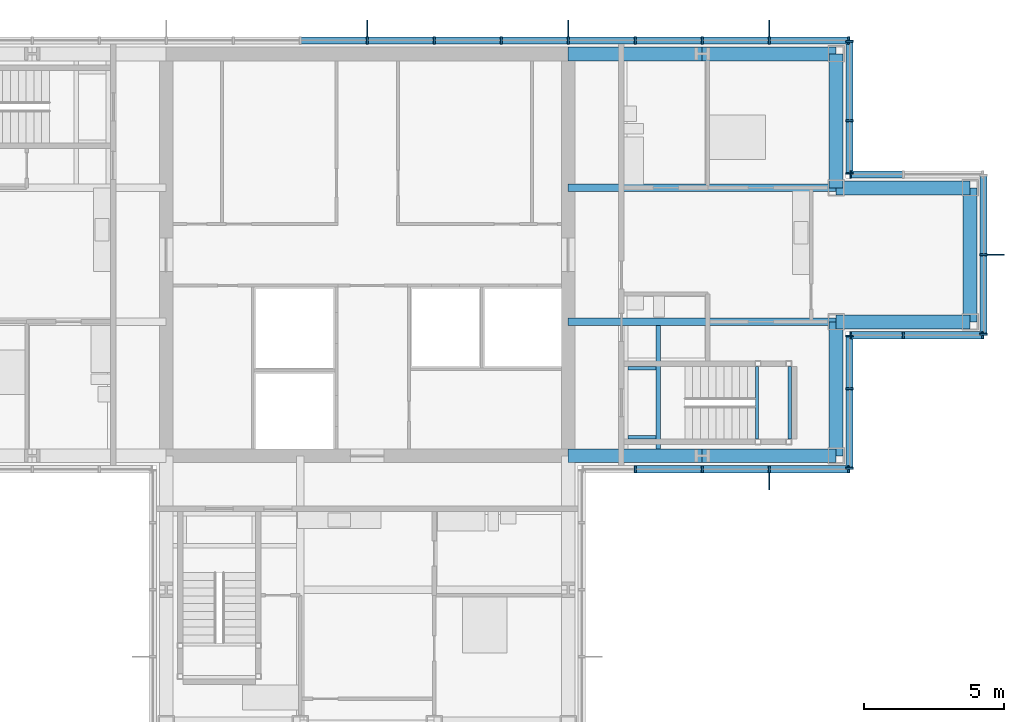
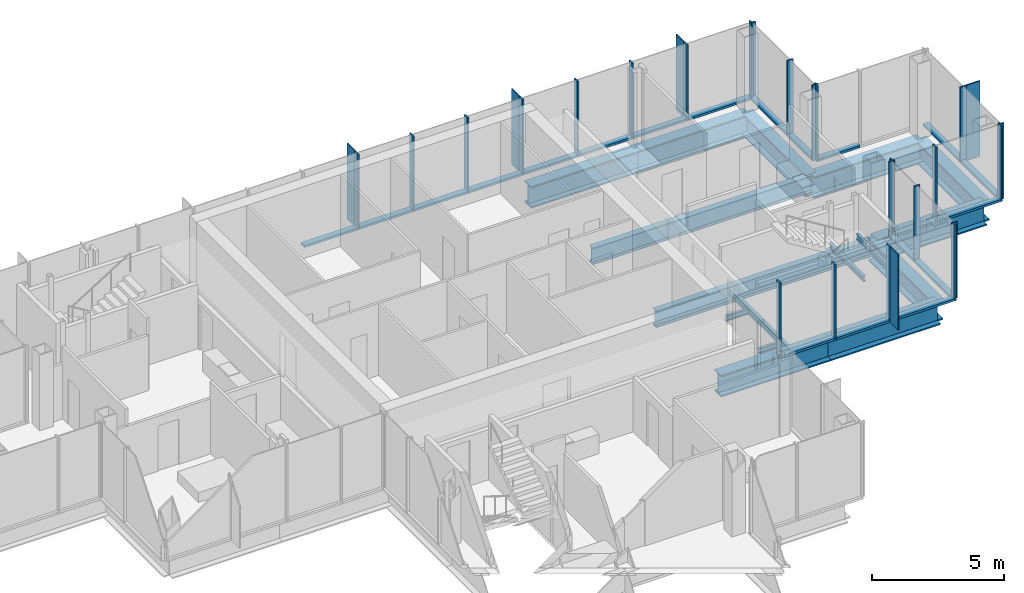
# One storey, part 7 of 15: 49 members, 16 beams, 7 elements without a shape of their own.
"""IFC4 building model written with IfcOpenShell, lengths in metres."""

from ifc_helpers import new_model, si_unit, direction, frame, origin, origin_2d, place, context, subcontext, project, spatial, rectangle, i_section, extrude, material, material_profile, profile_set, type_object, element, aggregate, save


model = new_model("IFC4")

# Units and contexts
model_context = context("Model", 3, precision=1e-05, world=origin(), true_north=direction((0.0, 1.0)))
body_context = subcontext(model_context, "Body", "Model", "MODEL_VIEW")
ifc_project = project(units=[si_unit("LENGTHUNIT", "METRE"), si_unit("AREAUNIT", "SQUARE_METRE"), si_unit("VOLUMEUNIT", "CUBIC_METRE"), si_unit("PLANEANGLEUNIT", "RADIAN"), si_unit("MASSUNIT", "GRAM", prefix="KILO")], contexts=[model_context])

# Site, building, storey
site_placement = place(None, origin())
site = spatial("IfcSite", under=ifc_project, at=site_placement, CompositionType="ELEMENT")
building_placement = place(site_placement, origin())
building = spatial("IfcBuilding", under=site, at=building_placement, Name="Kvirike Care Tower", CompositionType="ELEMENT")
storey_placement = place(building_placement, frame((0.0, 0.0, 198.0)))
storey = spatial("IfcBuildingStorey", under=building, at=storey_placement, Name="L54", CompositionType="ELEMENT", Elevation=198.0)

# Curtain wall, member
ifc_material_1 = material(Name="Anodised aluminium stick system", Category="aluminium")
curtain_wall_type = type_object("IfcCurtainWallType", Name="CW-D STICK CURTAIN WALL", PredefinedType="NOTDEFINED", material=ifc_material_1)
curtain_wall_1_placement = place(storey_placement, origin())
curtain_wall_1 = element("IfcCurtainWall", 1, at=curtain_wall_1_placement, inside=storey, type_object=curtain_wall_type, Name="Curtain wall L54 face 1", PredefinedType="NOTDEFINED")
ifc_material_2 = material(Name="Bronze anodised aluminium fin", Category="aluminium")
ifc_material_profile_1 = material_profile(ifc_material_2, rectangle(XDim=0.050048828125, YDim=0.60009765625, at=origin_2d()), Name="BRONZE FIN 600")
ifc_profile_set_1 = profile_set([ifc_material_profile_1], Name="Bronze anodised aluminium fin")
member_type_1 = type_object("IfcMemberType", Name="BRONZE FIN 600", PredefinedType="USERDEFINED", material=ifc_profile_set_1)
member_1_placement = place(storey_placement, frame((36.0, 27.889892578125, 0.0), z_axis=(0.0, 0.0, 1.0), x_axis=(1.0, 0.0, 0.0)))
member_1 = element("IfcMember", 2, at=member_1_placement, type_object=member_type_1, Name="Bronze fin L54 face 1.4", ObjectType="FIN", PredefinedType="USERDEFINED", context=body_context, shape_type="SweptSolid", body=[
    extrude(rectangle(XDim=0.050048828125, YDim=0.60009765625, at=origin_2d()), origin(), (0.0, 0.0, 1.0), 3.5),
])

curtain_wall_2_placement = place(storey_placement, origin())
curtain_wall_2 = element("IfcCurtainWall", 3, at=curtain_wall_2_placement, inside=storey, type_object=curtain_wall_type, Name="Curtain wall L54 face 4", PredefinedType="NOTDEFINED")
member_2_placement = place(storey_placement, frame((44.110107421875, 36.0, 0.0), z_axis=(0.0, 0.0, 1.0), x_axis=(0.0, 1.0, 0.0)))
member_2 = element("IfcMember", 4, at=member_2_placement, type_object=member_type_1, Name="Bronze fin L54 face 4.2", ObjectType="FIN", PredefinedType="USERDEFINED", context=body_context, shape_type="SweptSolid", body=[
    extrude(rectangle(XDim=0.050048828125, YDim=0.60009765625, at=origin_2d()), origin(), (0.0, 0.0, 1.0), 3.5),
])

# Curtain wall, members
curtain_wall_3_placement = place(storey_placement, origin())
curtain_wall_3 = element("IfcCurtainWall", 5, at=curtain_wall_3_placement, inside=storey, type_object=curtain_wall_type, Name="Curtain wall L54 face 7", PredefinedType="NOTDEFINED")
member_3_placement = place(storey_placement, frame((36.0, 44.110107421875, 0.0), z_axis=(0.0, 0.0, 1.0), x_axis=(-1.0, 0.0, 0.0)))
member_3 = element("IfcMember", 6, at=member_3_placement, type_object=member_type_1, Name="Bronze fin L54 face 7.2", ObjectType="FIN", PredefinedType="USERDEFINED", context=body_context, shape_type="SweptSolid", body=[
    extrude(rectangle(XDim=0.050048828125, YDim=0.60009765625, at=origin_2d()), origin(), (0.0, 0.0, 1.0), 3.5),
])
member_4_placement = place(storey_placement, frame((28.800048828125, 44.110107421875, 0.0), z_axis=(0.0, 0.0, 1.0), x_axis=(-1.0, 0.0, 0.0)))
member_4 = element("IfcMember", 7, at=member_4_placement, type_object=member_type_1, Name="Bronze fin L54 face 7.5", ObjectType="FIN", PredefinedType="USERDEFINED", context=body_context, shape_type="SweptSolid", body=[
    extrude(rectangle(XDim=0.050048828125, YDim=0.60009765625, at=origin_2d()), origin(), (0.0, 0.0, 1.0), 3.5),
])
member_5_placement = place(storey_placement, frame((21.60009765625, 44.110107421875, 0.0), z_axis=(0.0, 0.0, 1.0), x_axis=(-1.0, 0.0, 0.0)))
member_5 = element("IfcMember", 8, at=member_5_placement, type_object=member_type_1, Name="Bronze fin L54 face 7.8", ObjectType="FIN", PredefinedType="USERDEFINED", context=body_context, shape_type="SweptSolid", body=[
    extrude(rectangle(XDim=0.050048828125, YDim=0.60009765625, at=origin_2d()), origin(), (0.0, 0.0, 1.0), 3.5),
])

# Member
ifc_material_3 = material(Name="Bronze anodised aluminium mullion", Category="aluminium")
ifc_material_profile_2 = material_profile(ifc_material_3, rectangle(XDim=0.06494140625, YDim=0.260009765625, at=origin_2d()), Name="CW-D MULLION 65x260")
ifc_profile_set_2 = profile_set([ifc_material_profile_2], Name="Bronze anodised aluminium mullion")
member_type_2 = type_object("IfcMemberType", Name="CW-D MULLION 65x260", PredefinedType="MULLION", material=ifc_profile_set_2)
member_6_placement = place(storey_placement, frame((31.199951171875, 28.320068359375, 0.0), z_axis=(0.0, 0.0, 1.0), x_axis=(1.0, 0.0, 0.0)))
member_6 = element("IfcMember", 9, at=member_6_placement, type_object=member_type_2, Name="CW-D mullion L54 face 1.2", PredefinedType="MULLION", context=body_context, shape_type="SweptSolid", body=[
    extrude(rectangle(XDim=0.06494140625, YDim=0.260009765625, at=origin_2d()), origin(), (0.0, 0.0, 1.0), 3.5),
])

member_7_placement = place(storey_placement, frame((33.60009765625, 28.320068359375, 0.0), z_axis=(0.0, 0.0, 1.0), x_axis=(1.0, 0.0, 0.0)))
member_7 = element("IfcMember", 10, at=member_7_placement, type_object=member_type_2, Name="CW-D mullion L54 face 1.3", PredefinedType="MULLION", context=body_context, shape_type="SweptSolid", body=[
    extrude(rectangle(XDim=0.06494140625, YDim=0.260009765625, at=origin_2d()), origin(), (0.0, 0.0, 1.0), 3.5),
])

member_8_placement = place(storey_placement, frame((36.0, 28.320068359375, 0.0), z_axis=(0.0, 0.0, 1.0), x_axis=(1.0, 0.0, 0.0)))
member_8 = element("IfcMember", 11, at=member_8_placement, type_object=member_type_2, Name="CW-D mullion L54 face 1.4", PredefinedType="MULLION", context=body_context, shape_type="SweptSolid", body=[
    extrude(rectangle(XDim=0.06494140625, YDim=0.260009765625, at=origin_2d()), origin(), (0.0, 0.0, 1.0), 3.5),
])

member_9_placement = place(storey_placement, frame((38.847412109375, 28.320068359375, 0.0), z_axis=(0.0, 0.0, 1.0), x_axis=(1.0, 0.0, 0.0)))
member_9 = element("IfcMember", 12, at=member_9_placement, type_object=member_type_2, Name="CW-D mullion L54 face 1.5", PredefinedType="MULLION", context=body_context, shape_type="SweptSolid", body=[
    extrude(rectangle(XDim=0.06494140625, YDim=0.260009765625, at=origin_2d()), origin(), (0.0, 0.0, 1.0), 3.5),
])

# Curtain wall, members
curtain_wall_4_placement = place(storey_placement, origin())
curtain_wall_4 = element("IfcCurtainWall", 13, at=curtain_wall_4_placement, inside=storey, type_object=curtain_wall_type, Name="Curtain wall L54 face 2", PredefinedType="NOTDEFINED")
member_10_placement = place(storey_placement, frame((38.8798828125, 28.3525390625, 0.0), z_axis=(0.0, 0.0, 1.0), x_axis=(0.0, 1.0, 0.0)))
member_10 = element("IfcMember", 14, at=member_10_placement, type_object=member_type_2, Name="CW-D mullion L54 face 2.1", PredefinedType="MULLION", context=body_context, shape_type="SweptSolid", body=[
    extrude(rectangle(XDim=0.06494140625, YDim=0.260009765625, at=origin_2d()), origin(), (0.0, 0.0, 1.0), 3.5),
])
member_11_placement = place(storey_placement, frame((38.8798828125, 31.199951171875, 0.0), z_axis=(0.0, 0.0, 1.0), x_axis=(0.0, 1.0, 0.0)))
member_11 = element("IfcMember", 15, at=member_11_placement, type_object=member_type_2, Name="CW-D mullion L54 face 2.2", PredefinedType="MULLION", context=body_context, shape_type="SweptSolid", body=[
    extrude(rectangle(XDim=0.06494140625, YDim=0.260009765625, at=origin_2d()), origin(), (0.0, 0.0, 1.0), 3.5),
])
member_12_placement = place(storey_placement, frame((38.8798828125, 33.08740234375, 0.0), z_axis=(0.0, 0.0, 1.0), x_axis=(0.0, 1.0, 0.0)))
member_12 = element("IfcMember", 16, at=member_12_placement, type_object=member_type_2, Name="CW-D mullion L54 face 2.3", PredefinedType="MULLION", context=body_context, shape_type="SweptSolid", body=[
    extrude(rectangle(XDim=0.06494140625, YDim=0.260009765625, at=origin_2d()), origin(), (0.0, 0.0, 1.0), 3.5),
])

curtain_wall_5_placement = place(storey_placement, origin())
curtain_wall_5 = element("IfcCurtainWall", 17, at=curtain_wall_5_placement, inside=storey, type_object=curtain_wall_type, Name="Curtain wall L54 face 3", PredefinedType="NOTDEFINED")
member_13_placement = place(storey_placement, frame((38.91259765625, 33.1201171875, 0.0), z_axis=(0.0, 0.0, 1.0), x_axis=(1.0, 0.0, 0.0)))
member_13 = element("IfcMember", 18, at=member_13_placement, type_object=member_type_2, Name="CW-D mullion L54 face 3.1", PredefinedType="MULLION", context=body_context, shape_type="SweptSolid", body=[
    extrude(rectangle(XDim=0.06494140625, YDim=0.260009765625, at=origin_2d()), origin(), (0.0, 0.0, 1.0), 3.5),
])
member_14_placement = place(storey_placement, frame((40.800048828125, 33.1201171875, 0.0), z_axis=(0.0, 0.0, 1.0), x_axis=(1.0, 0.0, 0.0)))
member_14 = element("IfcMember", 19, at=member_14_placement, type_object=member_type_2, Name="CW-D mullion L54 face 3.2", PredefinedType="MULLION", context=body_context, shape_type="SweptSolid", body=[
    extrude(rectangle(XDim=0.06494140625, YDim=0.260009765625, at=origin_2d()), origin(), (0.0, 0.0, 1.0), 3.5),
])
member_15_placement = place(storey_placement, frame((43.6474609375, 33.1201171875, 0.0), z_axis=(0.0, 0.0, 1.0), x_axis=(1.0, 0.0, 0.0)))
member_15 = element("IfcMember", 20, at=member_15_placement, type_object=member_type_2, Name="CW-D mullion L54 face 3.3", PredefinedType="MULLION", context=body_context, shape_type="SweptSolid", body=[
    extrude(rectangle(XDim=0.06494140625, YDim=0.260009765625, at=origin_2d()), origin(), (0.0, 0.0, 1.0), 3.5),
])

# Member
member_16_placement = place(storey_placement, frame((43.679931640625, 33.152587890625, 0.0), z_axis=(0.0, 0.0, 1.0), x_axis=(0.0, 1.0, 0.0)))
member_16 = element("IfcMember", 21, at=member_16_placement, type_object=member_type_2, Name="CW-D mullion L54 face 4.1", PredefinedType="MULLION", context=body_context, shape_type="SweptSolid", body=[
    extrude(rectangle(XDim=0.06494140625, YDim=0.260009765625, at=origin_2d()), origin(), (0.0, 0.0, 1.0), 3.5),
])

member_17_placement = place(storey_placement, frame((43.679931640625, 36.0, 0.0), z_axis=(0.0, 0.0, 1.0), x_axis=(0.0, 1.0, 0.0)))
member_17 = element("IfcMember", 22, at=member_17_placement, type_object=member_type_2, Name="CW-D mullion L54 face 4.2", PredefinedType="MULLION", context=body_context, shape_type="SweptSolid", body=[
    extrude(rectangle(XDim=0.06494140625, YDim=0.260009765625, at=origin_2d()), origin(), (0.0, 0.0, 1.0), 3.5),
])

# Curtain wall, member
curtain_wall_6_placement = place(storey_placement, origin())
curtain_wall_6 = element("IfcCurtainWall", 23, at=curtain_wall_6_placement, inside=storey, type_object=curtain_wall_type, Name="Curtain wall L54 face 5", PredefinedType="NOTDEFINED")
member_18_placement = place(storey_placement, frame((38.91259765625, 38.8798828125, 0.0), z_axis=(0.0, 0.0, 1.0), x_axis=(-1.0, 0.0, 0.0)))
member_18 = element("IfcMember", 24, at=member_18_placement, type_object=member_type_2, Name="CW-D mullion L54 face 5.3", PredefinedType="MULLION", context=body_context, shape_type="SweptSolid", body=[
    extrude(rectangle(XDim=0.06494140625, YDim=0.260009765625, at=origin_2d()), origin(), (0.0, 0.0, 1.0), 3.5),
])

# Curtain wall, members
curtain_wall_7_placement = place(storey_placement, origin())
curtain_wall_7 = element("IfcCurtainWall", 25, at=curtain_wall_7_placement, inside=storey, type_object=curtain_wall_type, Name="Curtain wall L54 face 6", PredefinedType="NOTDEFINED")
member_19_placement = place(storey_placement, frame((38.8798828125, 38.91259765625, 0.0), z_axis=(0.0, 0.0, 1.0), x_axis=(0.0, 1.0, 0.0)))
member_19 = element("IfcMember", 26, at=member_19_placement, type_object=member_type_2, Name="CW-D mullion L54 face 6.1", PredefinedType="MULLION", context=body_context, shape_type="SweptSolid", body=[
    extrude(rectangle(XDim=0.06494140625, YDim=0.260009765625, at=origin_2d()), origin(), (0.0, 0.0, 1.0), 3.5),
])
member_20_placement = place(storey_placement, frame((38.8798828125, 40.800048828125, 0.0), z_axis=(0.0, 0.0, 1.0), x_axis=(0.0, 1.0, 0.0)))
member_20 = element("IfcMember", 27, at=member_20_placement, type_object=member_type_2, Name="CW-D mullion L54 face 6.2", PredefinedType="MULLION", context=body_context, shape_type="SweptSolid", body=[
    extrude(rectangle(XDim=0.06494140625, YDim=0.260009765625, at=origin_2d()), origin(), (0.0, 0.0, 1.0), 3.5),
])
member_21_placement = place(storey_placement, frame((38.8798828125, 43.6474609375, 0.0), z_axis=(0.0, 0.0, 1.0), x_axis=(0.0, 1.0, 0.0)))
member_21 = element("IfcMember", 28, at=member_21_placement, type_object=member_type_2, Name="CW-D mullion L54 face 6.3", PredefinedType="MULLION", context=body_context, shape_type="SweptSolid", body=[
    extrude(rectangle(XDim=0.06494140625, YDim=0.260009765625, at=origin_2d()), origin(), (0.0, 0.0, 1.0), 3.5),
])

# Member
member_22_placement = place(storey_placement, frame((38.847412109375, 43.679931640625, 0.0), z_axis=(0.0, 0.0, 1.0), x_axis=(-1.0, 0.0, 0.0)))
member_22 = element("IfcMember", 29, at=member_22_placement, type_object=member_type_2, Name="CW-D mullion L54 face 7.1", PredefinedType="MULLION", context=body_context, shape_type="SweptSolid", body=[
    extrude(rectangle(XDim=0.06494140625, YDim=0.260009765625, at=origin_2d()), origin(), (0.0, 0.0, 1.0), 3.5),
])

member_23_placement = place(storey_placement, frame((36.0, 43.679931640625, 0.0), z_axis=(0.0, 0.0, 1.0), x_axis=(-1.0, 0.0, 0.0)))
member_23 = element("IfcMember", 30, at=member_23_placement, type_object=member_type_2, Name="CW-D mullion L54 face 7.2", PredefinedType="MULLION", context=body_context, shape_type="SweptSolid", body=[
    extrude(rectangle(XDim=0.06494140625, YDim=0.260009765625, at=origin_2d()), origin(), (0.0, 0.0, 1.0), 3.5),
])

member_24_placement = place(storey_placement, frame((33.60009765625, 43.679931640625, 0.0), z_axis=(0.0, 0.0, 1.0), x_axis=(-1.0, 0.0, 0.0)))
member_24 = element("IfcMember", 31, at=member_24_placement, type_object=member_type_2, Name="CW-D mullion L54 face 7.3", PredefinedType="MULLION", context=body_context, shape_type="SweptSolid", body=[
    extrude(rectangle(XDim=0.06494140625, YDim=0.260009765625, at=origin_2d()), origin(), (0.0, 0.0, 1.0), 3.5),
])

member_25_placement = place(storey_placement, frame((31.199951171875, 43.679931640625, 0.0), z_axis=(0.0, 0.0, 1.0), x_axis=(-1.0, 0.0, 0.0)))
member_25 = element("IfcMember", 32, at=member_25_placement, type_object=member_type_2, Name="CW-D mullion L54 face 7.4", PredefinedType="MULLION", context=body_context, shape_type="SweptSolid", body=[
    extrude(rectangle(XDim=0.06494140625, YDim=0.260009765625, at=origin_2d()), origin(), (0.0, 0.0, 1.0), 3.5),
])

member_26_placement = place(storey_placement, frame((28.800048828125, 43.679931640625, 0.0), z_axis=(0.0, 0.0, 1.0), x_axis=(-1.0, 0.0, 0.0)))
member_26 = element("IfcMember", 33, at=member_26_placement, type_object=member_type_2, Name="CW-D mullion L54 face 7.5", PredefinedType="MULLION", context=body_context, shape_type="SweptSolid", body=[
    extrude(rectangle(XDim=0.06494140625, YDim=0.260009765625, at=origin_2d()), origin(), (0.0, 0.0, 1.0), 3.5),
])

member_27_placement = place(storey_placement, frame((26.39990234375, 43.679931640625, 0.0), z_axis=(0.0, 0.0, 1.0), x_axis=(-1.0, 0.0, 0.0)))
member_27 = element("IfcMember", 34, at=member_27_placement, type_object=member_type_2, Name="CW-D mullion L54 face 7.6", PredefinedType="MULLION", context=body_context, shape_type="SweptSolid", body=[
    extrude(rectangle(XDim=0.06494140625, YDim=0.260009765625, at=origin_2d()), origin(), (0.0, 0.0, 1.0), 3.5),
])

member_28_placement = place(storey_placement, frame((24.0, 43.679931640625, 0.0), z_axis=(0.0, 0.0, 1.0), x_axis=(-1.0, 0.0, 0.0)))
member_28 = element("IfcMember", 35, at=member_28_placement, type_object=member_type_2, Name="CW-D mullion L54 face 7.7", PredefinedType="MULLION", context=body_context, shape_type="SweptSolid", body=[
    extrude(rectangle(XDim=0.06494140625, YDim=0.260009765625, at=origin_2d()), origin(), (0.0, 0.0, 1.0), 3.5),
])

member_29_placement = place(storey_placement, frame((21.60009765625, 43.679931640625, 0.0), z_axis=(0.0, 0.0, 1.0), x_axis=(-1.0, 0.0, 0.0)))
member_29 = element("IfcMember", 36, at=member_29_placement, type_object=member_type_2, Name="CW-D mullion L54 face 7.8", PredefinedType="MULLION", context=body_context, shape_type="SweptSolid", body=[
    extrude(rectangle(XDim=0.06494140625, YDim=0.260009765625, at=origin_2d()), origin(), (0.0, 0.0, 1.0), 3.5),
])

ifc_material_4 = material(Name="Bronze anodised aluminium transom", Category="aluminium")
ifc_material_profile_3 = material_profile(ifc_material_4, rectangle(XDim=0.260009765625, YDim=0.10009765625, at=origin_2d()), Name="CW-D TRANSOM 260x100")
ifc_profile_set_3 = profile_set([ifc_material_profile_3], Name="Bronze anodised aluminium transom")
member_type_3 = type_object("IfcMemberType", Name="CW-D TRANSOM 260x100", PredefinedType="USERDEFINED", material=ifc_profile_set_3)
member_30_placement = place(storey_placement, frame((31.232421875, 28.320068359375, 0.050048828125), z_axis=(1.0, 0.0, 0.0), x_axis=(0.0, 1.0, 0.0)))
member_30 = element("IfcMember", 37, at=member_30_placement, type_object=member_type_3, Name="CW-D sill transom L54 face 1.2", ObjectType="TRANSOM", PredefinedType="USERDEFINED", context=body_context, shape_type="SweptSolid", body=[
    extrude(rectangle(XDim=0.260009765625, YDim=0.10009765625, at=origin_2d()), origin(), (0.0, 0.0, 1.0), 2.3349609375),
])

member_31_placement = place(storey_placement, frame((33.632568359375, 28.320068359375, 0.050048828125), z_axis=(1.0, 0.0, 0.0), x_axis=(0.0, 1.0, 0.0)))
member_31 = element("IfcMember", 38, at=member_31_placement, type_object=member_type_3, Name="CW-D sill transom L54 face 1.3", ObjectType="TRANSOM", PredefinedType="USERDEFINED", context=body_context, shape_type="SweptSolid", body=[
    extrude(rectangle(XDim=0.260009765625, YDim=0.10009765625, at=origin_2d()), origin(), (0.0, 0.0, 1.0), 2.3349609375),
])

member_32_placement = place(storey_placement, frame((36.032470703125, 28.320068359375, 0.050048828125), z_axis=(1.0, 0.0, 0.0), x_axis=(0.0, 1.0, 0.0)))
member_32 = element("IfcMember", 39, at=member_32_placement, type_object=member_type_3, Name="CW-D sill transom L54 face 1.4", ObjectType="TRANSOM", PredefinedType="USERDEFINED", context=body_context, shape_type="SweptSolid", body=[
    extrude(rectangle(XDim=0.260009765625, YDim=0.10009765625, at=origin_2d()), origin(), (0.0, 0.0, 1.0), 2.782470703125),
])

aggregate(curtain_wall_1, [member_6, member_7, member_8, member_1, member_9, member_30, member_31, member_32])

member_33_placement = place(storey_placement, frame((38.8798828125, 28.385009765625, 0.050048828125), z_axis=(0.0, 1.0, 0.0), x_axis=(-1.0, 0.0, 0.0)))
member_33 = element("IfcMember", 40, at=member_33_placement, type_object=member_type_3, Name="CW-D sill transom L54 face 2.1", ObjectType="TRANSOM", PredefinedType="USERDEFINED", context=body_context, shape_type="SweptSolid", body=[
    extrude(rectangle(XDim=0.260009765625, YDim=0.10009765625, at=origin_2d()), origin(), (0.0, 0.0, 1.0), 2.782470703125),
])

member_34_placement = place(storey_placement, frame((38.8798828125, 31.232421875, 0.050048828125), z_axis=(0.0, 1.0, 0.0), x_axis=(-1.0, 0.0, 0.0)))
member_34 = element("IfcMember", 41, at=member_34_placement, type_object=member_type_3, Name="CW-D sill transom L54 face 2.2", ObjectType="TRANSOM", PredefinedType="USERDEFINED", context=body_context, shape_type="SweptSolid", body=[
    extrude(rectangle(XDim=0.260009765625, YDim=0.10009765625, at=origin_2d()), origin(), (0.0, 0.0, 1.0), 1.822509765625),
])

aggregate(curtain_wall_4, [member_10, member_11, member_12, member_33, member_34])

member_35_placement = place(storey_placement, frame((38.945068359375, 33.1201171875, 0.050048828125), z_axis=(1.0, 0.0, 0.0), x_axis=(0.0, 1.0, 0.0)))
member_35 = element("IfcMember", 42, at=member_35_placement, type_object=member_type_3, Name="CW-D sill transom L54 face 3.1", ObjectType="TRANSOM", PredefinedType="USERDEFINED", context=body_context, shape_type="SweptSolid", body=[
    extrude(rectangle(XDim=0.260009765625, YDim=0.10009765625, at=origin_2d()), origin(), (0.0, 0.0, 1.0), 1.822509765625),
])

member_36_placement = place(storey_placement, frame((40.83251953125, 33.1201171875, 0.050048828125), z_axis=(1.0, 0.0, 0.0), x_axis=(0.0, 1.0, 0.0)))
member_36 = element("IfcMember", 43, at=member_36_placement, type_object=member_type_3, Name="CW-D sill transom L54 face 3.2", ObjectType="TRANSOM", PredefinedType="USERDEFINED", context=body_context, shape_type="SweptSolid", body=[
    extrude(rectangle(XDim=0.260009765625, YDim=0.10009765625, at=origin_2d()), origin(), (0.0, 0.0, 1.0), 2.782470703125),
])

aggregate(curtain_wall_5, [member_13, member_14, member_15, member_35, member_36])

member_37_placement = place(storey_placement, frame((43.679931640625, 33.18505859375, 0.050048828125), z_axis=(0.0, 1.0, 0.0), x_axis=(-1.0, 0.0, 0.0)))
member_37 = element("IfcMember", 44, at=member_37_placement, type_object=member_type_3, Name="CW-D sill transom L54 face 4.1", ObjectType="TRANSOM", PredefinedType="USERDEFINED", context=body_context, shape_type="SweptSolid", body=[
    extrude(rectangle(XDim=0.260009765625, YDim=0.10009765625, at=origin_2d()), origin(), (0.0, 0.0, 1.0), 2.782470703125),
])

member_38_placement = place(storey_placement, frame((43.679931640625, 36.032470703125, 0.050048828125), z_axis=(0.0, 1.0, 0.0), x_axis=(-1.0, 0.0, 0.0)))
member_38 = element("IfcMember", 45, at=member_38_placement, type_object=member_type_3, Name="CW-D sill transom L54 face 4.2", ObjectType="TRANSOM", PredefinedType="USERDEFINED", context=body_context, shape_type="SweptSolid", body=[
    extrude(rectangle(XDim=0.260009765625, YDim=0.10009765625, at=origin_2d()), origin(), (0.0, 0.0, 1.0), 2.782470703125),
])

aggregate(curtain_wall_2, [member_16, member_17, member_2, member_37, member_38])

member_39_placement = place(storey_placement, frame((40.767578125, 38.8798828125, 0.050048828125), z_axis=(-1.0, 0.0, 0.0), x_axis=(0.0, -1.0, 0.0)))
member_39 = element("IfcMember", 46, at=member_39_placement, type_object=member_type_3, Name="CW-D sill transom L54 face 5.2", ObjectType="TRANSOM", PredefinedType="USERDEFINED", context=body_context, shape_type="SweptSolid", body=[
    extrude(rectangle(XDim=0.260009765625, YDim=0.10009765625, at=origin_2d()), origin(), (0.0, 0.0, 1.0), 1.822509765625),
])

aggregate(curtain_wall_6, [member_18, member_39])

member_40_placement = place(storey_placement, frame((38.8798828125, 38.945068359375, 0.050048828125), z_axis=(0.0, 1.0, 0.0), x_axis=(-1.0, 0.0, 0.0)))
member_40 = element("IfcMember", 47, at=member_40_placement, type_object=member_type_3, Name="CW-D sill transom L54 face 6.1", ObjectType="TRANSOM", PredefinedType="USERDEFINED", context=body_context, shape_type="SweptSolid", body=[
    extrude(rectangle(XDim=0.260009765625, YDim=0.10009765625, at=origin_2d()), origin(), (0.0, 0.0, 1.0), 1.822509765625),
])

member_41_placement = place(storey_placement, frame((38.8798828125, 40.83251953125, 0.050048828125), z_axis=(0.0, 1.0, 0.0), x_axis=(-1.0, 0.0, 0.0)))
member_41 = element("IfcMember", 48, at=member_41_placement, type_object=member_type_3, Name="CW-D sill transom L54 face 6.2", ObjectType="TRANSOM", PredefinedType="USERDEFINED", context=body_context, shape_type="SweptSolid", body=[
    extrude(rectangle(XDim=0.260009765625, YDim=0.10009765625, at=origin_2d()), origin(), (0.0, 0.0, 1.0), 2.782470703125),
])

aggregate(curtain_wall_7, [member_19, member_20, member_21, member_40, member_41])

member_42_placement = place(storey_placement, frame((38.81494140625, 43.679931640625, 0.050048828125), z_axis=(-1.0, 0.0, 0.0), x_axis=(0.0, -1.0, 0.0)))
member_42 = element("IfcMember", 49, at=member_42_placement, type_object=member_type_3, Name="CW-D sill transom L54 face 7.1", ObjectType="TRANSOM", PredefinedType="USERDEFINED", context=body_context, shape_type="SweptSolid", body=[
    extrude(rectangle(XDim=0.260009765625, YDim=0.10009765625, at=origin_2d()), origin(), (0.0, 0.0, 1.0), 2.782470703125),
])

member_43_placement = place(storey_placement, frame((35.967529296875, 43.679931640625, 0.050048828125), z_axis=(-1.0, 0.0, 0.0), x_axis=(0.0, -1.0, 0.0)))
member_43 = element("IfcMember", 50, at=member_43_placement, type_object=member_type_3, Name="CW-D sill transom L54 face 7.2", ObjectType="TRANSOM", PredefinedType="USERDEFINED", context=body_context, shape_type="SweptSolid", body=[
    extrude(rectangle(XDim=0.260009765625, YDim=0.10009765625, at=origin_2d()), origin(), (0.0, 0.0, 1.0), 2.3349609375),
])

member_44_placement = place(storey_placement, frame((33.5673828125, 43.679931640625, 0.050048828125), z_axis=(-1.0, 0.0, 0.0), x_axis=(0.0, -1.0, 0.0)))
member_44 = element("IfcMember", 51, at=member_44_placement, type_object=member_type_3, Name="CW-D sill transom L54 face 7.3", ObjectType="TRANSOM", PredefinedType="USERDEFINED", context=body_context, shape_type="SweptSolid", body=[
    extrude(rectangle(XDim=0.260009765625, YDim=0.10009765625, at=origin_2d()), origin(), (0.0, 0.0, 1.0), 2.3349609375),
])

member_45_placement = place(storey_placement, frame((31.16748046875, 43.679931640625, 0.050048828125), z_axis=(-1.0, 0.0, 0.0), x_axis=(0.0, -1.0, 0.0)))
member_45 = element("IfcMember", 52, at=member_45_placement, type_object=member_type_3, Name="CW-D sill transom L54 face 7.4", ObjectType="TRANSOM", PredefinedType="USERDEFINED", context=body_context, shape_type="SweptSolid", body=[
    extrude(rectangle(XDim=0.260009765625, YDim=0.10009765625, at=origin_2d()), origin(), (0.0, 0.0, 1.0), 2.3349609375),
])

member_46_placement = place(storey_placement, frame((28.767578125, 43.679931640625, 0.050048828125), z_axis=(-1.0, 0.0, 0.0), x_axis=(0.0, -1.0, 0.0)))
member_46 = element("IfcMember", 53, at=member_46_placement, type_object=member_type_3, Name="CW-D sill transom L54 face 7.5", ObjectType="TRANSOM", PredefinedType="USERDEFINED", context=body_context, shape_type="SweptSolid", body=[
    extrude(rectangle(XDim=0.260009765625, YDim=0.10009765625, at=origin_2d()), origin(), (0.0, 0.0, 1.0), 2.3349609375),
])

member_47_placement = place(storey_placement, frame((26.367431640625, 43.679931640625, 0.050048828125), z_axis=(-1.0, 0.0, 0.0), x_axis=(0.0, -1.0, 0.0)))
member_47 = element("IfcMember", 54, at=member_47_placement, type_object=member_type_3, Name="CW-D sill transom L54 face 7.6", ObjectType="TRANSOM", PredefinedType="USERDEFINED", context=body_context, shape_type="SweptSolid", body=[
    extrude(rectangle(XDim=0.260009765625, YDim=0.10009765625, at=origin_2d()), origin(), (0.0, 0.0, 1.0), 2.3349609375),
])

member_48_placement = place(storey_placement, frame((23.967529296875, 43.679931640625, 0.050048828125), z_axis=(-1.0, 0.0, 0.0), x_axis=(0.0, -1.0, 0.0)))
member_48 = element("IfcMember", 55, at=member_48_placement, type_object=member_type_3, Name="CW-D sill transom L54 face 7.7", ObjectType="TRANSOM", PredefinedType="USERDEFINED", context=body_context, shape_type="SweptSolid", body=[
    extrude(rectangle(XDim=0.260009765625, YDim=0.10009765625, at=origin_2d()), origin(), (0.0, 0.0, 1.0), 2.3349609375),
])

member_49_placement = place(storey_placement, frame((21.5673828125, 43.679931640625, 0.050048828125), z_axis=(-1.0, 0.0, 0.0), x_axis=(0.0, -1.0, 0.0)))
member_49 = element("IfcMember", 56, at=member_49_placement, type_object=member_type_3, Name="CW-D sill transom L54 face 7.8", ObjectType="TRANSOM", PredefinedType="USERDEFINED", context=body_context, shape_type="SweptSolid", body=[
    extrude(rectangle(XDim=0.260009765625, YDim=0.10009765625, at=origin_2d()), origin(), (0.0, 0.0, 1.0), 2.3349609375),
])

aggregate(curtain_wall_3, [member_22, member_23, member_3, member_24, member_25, member_26, member_4, member_27, member_28, member_29, member_5, member_42, member_43, member_44, member_45, member_46, member_47, member_48, member_49])

# Beams
ifc_material_5 = material(Name="Steel S355", Category="steel")
ifc_material_profile_4 = material_profile(ifc_material_5, i_section(OverallWidth=0.26806640625, OverallDepth=0.77001953125, WebThickness=0.015625, FlangeThickness=0.025390625, FilletRadius=0.01708984375, at=origin_2d()), Name="IPE 750x196")
ifc_profile_set_4 = profile_set([ifc_material_profile_4], Name="Steel S355")
beam_type_1 = type_object("IfcBeamType", Name="FLOOR BEAM IPE 750x196", PredefinedType="BEAM", material=ifc_profile_set_4)
for number, where, z_axis, x_axis, name in (
    (57, (28.800048828125, 33.60009765625, -0.554931640625), (1.0, 0.0, 0.0), (0.0, 1.0, 0.0), "Floor Beam H9-H11 L54"),
    (58, (28.800048828125, 38.39990234375, -0.554931640625), (1.0, 0.0, 0.0), (0.0, 1.0, 0.0), "Floor Beam J9-J11 L54"),
):
    element("IfcBeam", number, at=place(storey_placement, frame(where, z_axis=z_axis, x_axis=x_axis)), inside=storey, type_object=beam_type_1, Name=name, PredefinedType="BEAM", context=body_context, shape_type="SweptSolid", body=[
        extrude(i_section(OverallWidth=0.26806640625, OverallDepth=0.77001953125, WebThickness=0.015625, FlangeThickness=0.025390625, FilletRadius=0.01708984375, at=origin_2d()), origin(), (0.0, 0.0, 1.0), 9.599853515625),
    ])
ifc_material_6 = material(Name="Steel S355", Category="steel")
ifc_material_profile_5 = material_profile(ifc_material_6, i_section(OverallWidth=0.5, OverallDepth=1.0, WebThickness=0.030029296875, FlangeThickness=0.06005859375, at=origin_2d()), Name="PG 1000x500x30x60")
ifc_profile_set_5 = profile_set([ifc_material_profile_5], Name="Steel S355")
beam_type_2 = type_object("IfcBeamType", Name="SPANDREL PG 1000x500x30x60", PredefinedType="SPANDREL", material=ifc_profile_set_5)
beam_1_placement = place(storey_placement, frame((28.800048828125, 28.800048828125, -0.669921875), z_axis=(1.0, 0.0, 0.0), x_axis=(0.0, 1.0, 0.0)))
element("IfcBeam", 59, at=beam_1_placement, inside=storey, type_object=beam_type_2, Name="Spandrel G9-G10 L54", PredefinedType="SPANDREL", context=body_context, shape_type="SweptSolid", body=[
    extrude(i_section(OverallWidth=0.5, OverallDepth=1.0, WebThickness=0.030029296875, FlangeThickness=0.06005859375, at=origin_2d()), origin(), (0.0, 0.0, 1.0), 4.800048828125),
])
beam_2_placement = place(storey_placement, frame((33.60009765625, 28.800048828125, -0.669921875), z_axis=(1.0, 0.0, 0.0), x_axis=(0.0, 1.0, 0.0)))
element("IfcBeam", 60, at=beam_2_placement, inside=storey, type_object=beam_type_2, Name="Spandrel G10-G11 L54", PredefinedType="SPANDREL", context=body_context, shape_type="SweptSolid", body=[
    extrude(i_section(OverallWidth=0.5, OverallDepth=1.0, WebThickness=0.030029296875, FlangeThickness=0.06005859375, at=origin_2d()), origin(), (0.0, 0.0, 1.0), 4.7998046875),
])
for number, where, z_axis, x_axis, name in (
    (61, (38.39990234375, 33.60009765625, -0.669921875), (1.0, 0.0, 0.0), (0.0, 1.0, 0.0), "Spandrel H11-H12 L54"),
    (62, (38.39990234375, 38.39990234375, -0.669921875), (1.0, 0.0, 0.0), (0.0, 1.0, 0.0), "Spandrel J11-J12 L54"),
    (63, (28.800048828125, 43.199951171875, -0.669921875), (1.0, 0.0, 0.0), (0.0, 1.0, 0.0), "Spandrel K9-K10 L54"),
):
    element("IfcBeam", number, at=place(storey_placement, frame(where, z_axis=z_axis, x_axis=x_axis)), inside=storey, type_object=beam_type_2, Name=name, PredefinedType="SPANDREL", context=body_context, shape_type="SweptSolid", body=[
        extrude(i_section(OverallWidth=0.5, OverallDepth=1.0, WebThickness=0.030029296875, FlangeThickness=0.06005859375, at=origin_2d()), origin(), (0.0, 0.0, 1.0), 4.800048828125),
    ])
beam_3_placement = place(storey_placement, frame((33.60009765625, 43.199951171875, -0.669921875), z_axis=(1.0, 0.0, 0.0), x_axis=(0.0, 1.0, 0.0)))
element("IfcBeam", 64, at=beam_3_placement, inside=storey, type_object=beam_type_2, Name="Spandrel K10-K11 L54", PredefinedType="SPANDREL", context=body_context, shape_type="SweptSolid", body=[
    extrude(i_section(OverallWidth=0.5, OverallDepth=1.0, WebThickness=0.030029296875, FlangeThickness=0.06005859375, at=origin_2d()), origin(), (0.0, 0.0, 1.0), 4.7998046875),
])
for number, where, z_axis, x_axis, name in (
    (65, (38.39990234375, 28.800048828125, -0.669921875), (0.0, 1.0, 0.0), (-1.0, 0.0, 0.0), "Spandrel G11-H11 L54"),
    (66, (38.39990234375, 38.39990234375, -0.669921875), (0.0, 1.0, 0.0), (-1.0, 0.0, 0.0), "Spandrel J11-K11 L54"),
):
    element("IfcBeam", number, at=place(storey_placement, frame(where, z_axis=z_axis, x_axis=x_axis)), inside=storey, type_object=beam_type_2, Name=name, PredefinedType="SPANDREL", context=body_context, shape_type="SweptSolid", body=[
        extrude(i_section(OverallWidth=0.5, OverallDepth=1.0, WebThickness=0.030029296875, FlangeThickness=0.06005859375, at=origin_2d()), origin(), (0.0, 0.0, 1.0), 4.800048828125),
    ])
beam_4_placement = place(storey_placement, frame((43.199951171875, 33.60009765625, -0.669921875), z_axis=(0.0, 1.0, 0.0), x_axis=(-1.0, 0.0, 0.0)))
element("IfcBeam", 67, at=beam_4_placement, inside=storey, type_object=beam_type_2, Name="Spandrel H12-J12 L54", PredefinedType="SPANDREL", context=body_context, shape_type="SweptSolid", body=[
    extrude(i_section(OverallWidth=0.5, OverallDepth=1.0, WebThickness=0.030029296875, FlangeThickness=0.06005859375, at=origin_2d()), origin(), (0.0, 0.0, 1.0), 4.7998046875),
])
ifc_material_7 = material(Name="Steel S355", Category="steel")
ifc_material_profile_6 = material_profile(ifc_material_7, i_section(OverallWidth=0.1201171875, OverallDepth=0.239990234375, WebThickness=0.006103515625, FlangeThickness=0.009765625, FilletRadius=0.014892578125, at=origin_2d()), Name="IPE 240")
ifc_profile_set_6 = profile_set([ifc_material_profile_6], Name="Steel S355")
beam_type_3 = type_object("IfcBeamType", Name="STAIR LANDING BEAM IPE 240", PredefinedType="BEAM", material=ifc_profile_set_6)
for number, where, z_axis, x_axis, name in (
    (68, (36.739990234375, 29.39990234375, 1.429931640625), (0.0, 1.0, 0.0), (-1.0, 0.0, 0.0), "Stair 2 landing beam back L54"),
    (69, (35.56005859375, 29.39990234375, 1.429931640625), (0.0, 1.0, 0.0), (-1.0, 0.0, 0.0), "Stair 2 landing beam front L54"),
):
    element("IfcBeam", number, at=place(storey_placement, frame(where, z_axis=z_axis, x_axis=x_axis)), inside=storey, type_object=beam_type_3, Name=name, PredefinedType="BEAM", context=body_context, shape_type="SweptSolid", body=[
        extrude(i_section(OverallWidth=0.1201171875, OverallDepth=0.239990234375, WebThickness=0.006103515625, FlangeThickness=0.009765625, FilletRadius=0.014892578125, at=origin_2d()), origin(), (0.0, 0.0, 1.0), 2.60009765625),
    ])
for number, where, z_axis, x_axis, name in (
    (70, (31.949951171875, 29.4599609375, -0.320068359375), (-1.0, 0.0, 0.0), (0.0, -1.0, 0.0), "Stair 2 landing edge beam 1 L54"),
    (71, (31.949951171875, 31.93994140625, -0.320068359375), (-1.0, 0.0, 0.0), (0.0, -1.0, 0.0), "Stair 2 landing edge beam 2 L54"),
):
    element("IfcBeam", number, at=place(storey_placement, frame(where, z_axis=z_axis, x_axis=x_axis)), inside=storey, type_object=beam_type_3, Name=name, PredefinedType="BEAM", context=body_context, shape_type="SweptSolid", body=[
        extrude(i_section(OverallWidth=0.1201171875, OverallDepth=0.239990234375, WebThickness=0.006103515625, FlangeThickness=0.009765625, FilletRadius=0.014892578125, at=origin_2d()), origin(), (0.0, 0.0, 1.0), 1.0),
    ])
ifc_material_8 = material(Name="Steel S355", Category="steel")
ifc_material_profile_7 = material_profile(ifc_material_8, i_section(OverallWidth=0.14990234375, OverallDepth=0.300048828125, WebThickness=0.007080078125, FlangeThickness=0.0107421875, FilletRadius=0.014892578125, at=origin_2d()), Name="IPE 300")
ifc_profile_set_7 = profile_set([ifc_material_profile_7], Name="Steel S355")
beam_type_4 = type_object("IfcBeamType", Name="STAIR TRIMMER IPE 300", PredefinedType="BEAM", material=ifc_profile_set_7)
beam_5_placement = place(storey_placement, frame((32.02490234375, 29.050048828125, -0.35009765625), z_axis=(0.0, 1.0, 0.0), x_axis=(-1.0, 0.0, 0.0)))
element("IfcBeam", 72, at=beam_5_placement, inside=storey, type_object=beam_type_4, Name="Stair 2 trimmer 1 L54", PredefinedType="BEAM", context=body_context, shape_type="SweptSolid", body=[
    extrude(i_section(OverallWidth=0.14990234375, OverallDepth=0.300048828125, WebThickness=0.007080078125, FlangeThickness=0.0107421875, FilletRadius=0.014892578125, at=origin_2d()), origin(), (0.0, 0.0, 1.0), 4.416015625),
])

save(model, "model.ifc")
